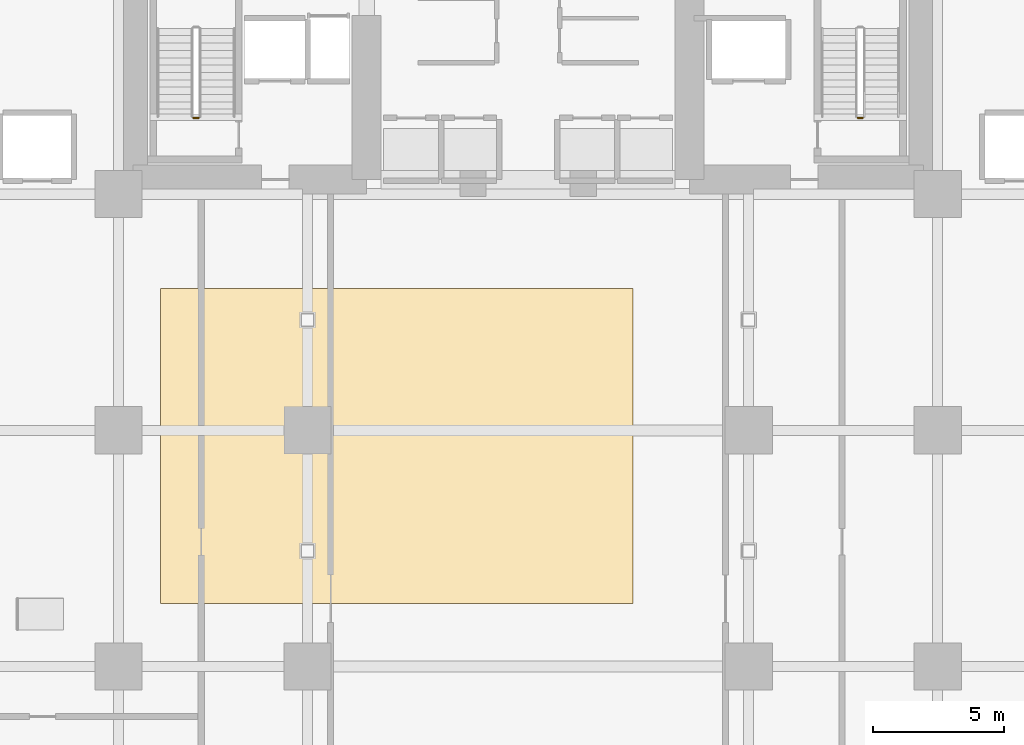
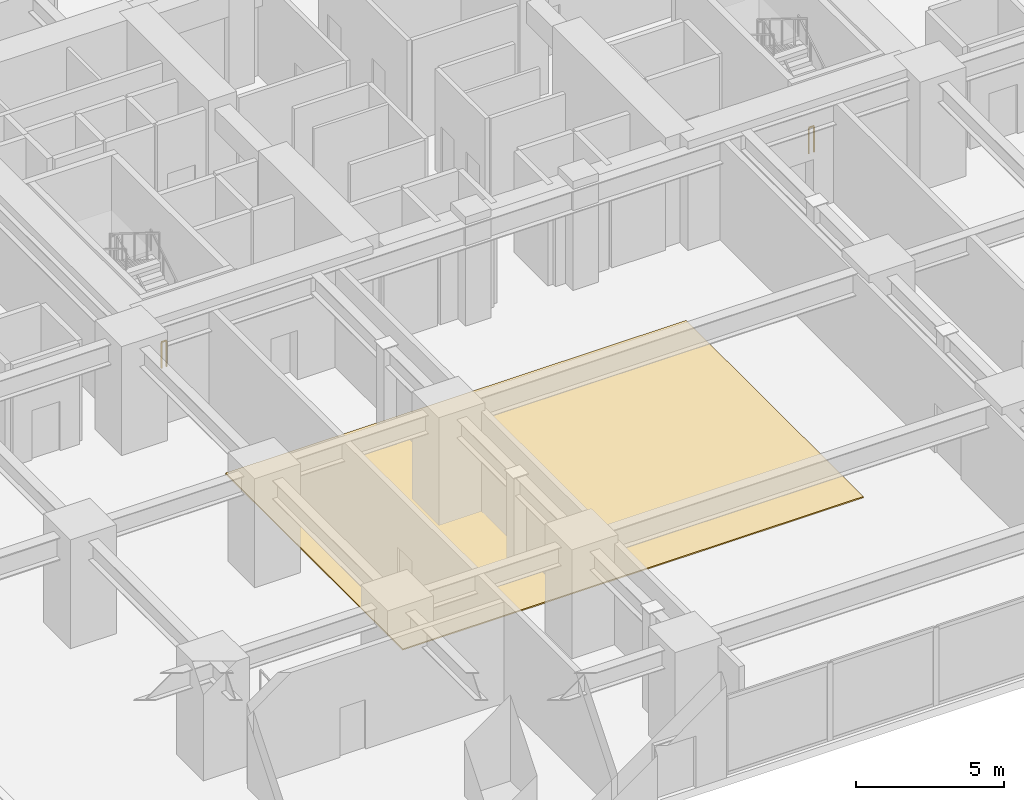
# One storey, part 19 of 26: 2 railings, 1 covering.
"""IFC4 building model written with IfcOpenShell, lengths in metres."""

from ifc_helpers import new_model, si_unit, direction, frame, origin, origin_2d, place, context, subcontext, project, spatial, polyline, rectangle, outline, extrude, material, layer, layer_set, type_object, element, save


model = new_model("IFC4")

# Units and contexts
model_context = context("Model", 3, precision=1e-05, world=origin(), true_north=direction((0.0, 1.0)))
body_context = subcontext(model_context, "Body", "Model", "MODEL_VIEW")
ifc_project = project(units=[si_unit("LENGTHUNIT", "METRE"), si_unit("AREAUNIT", "SQUARE_METRE"), si_unit("VOLUMEUNIT", "CUBIC_METRE"), si_unit("PLANEANGLEUNIT", "RADIAN"), si_unit("MASSUNIT", "GRAM", prefix="KILO")], contexts=[model_context])

# Site, building, storey
site_placement = place(None, origin())
site = spatial("IfcSite", under=ifc_project, at=site_placement, CompositionType="ELEMENT")
building_placement = place(site_placement, origin())
building = spatial("IfcBuilding", under=site, at=building_placement, Name="Kiyonajd Concourse Tower", CompositionType="ELEMENT")
storey_placement = place(building_placement, origin())
storey = spatial("IfcBuildingStorey", under=building, at=storey_placement, Name="L01", CompositionType="ELEMENT", Elevation=0.0)

# Covering
ifc_material_1 = material(Name="Riyadh Jubaila Limestone", Category="masonry")
ifc_layer = layer(ifc_material_1, 0.050048828125)
ifc_layer_set = layer_set([ifc_layer], Name="Riyadh Jubaila Limestone")
covering_type = type_object("IfcCoveringType", Name="CV-FLR-RAISED", PredefinedType="FLOORING", material=ifc_layer_set)
covering_placement = place(storey_placement, origin())
element("IfcCovering", 1, at=covering_placement, inside=storey, type_object=covering_type, Name="L01 Limestone Floor Finish", PredefinedType="FLOORING", context=body_context, shape_type="SweptSolid", body=[
    extrude(outline(polyline([(34.0, 12.0), (52.0, 12.0), (52.0, 24.0), (34.0, 24.0), (34.0, 12.0)])), origin(), (0.0, 0.0, 1.0), 0.050048828125),
])

# Railings
ifc_material_2 = material(Name="Steel ASTM A500 Grade C", Category="steel")
railing_type = type_object("IfcRailingType", Name="RL-GRD-STR", PredefinedType="GUARDRAIL", material=ifc_material_2)
for number, where, name in (
    (2, (35.449951171875, 30.5, 0.0), "L01 ST1 stair guard 4"),
    (3, (60.75, 30.5, 0.0), "L01 ST2 stair guard 4"),
):
    element("IfcRailing", number, at=place(storey_placement, frame(where)), inside=storey, type_object=railing_type, Name=name, PredefinedType="GUARDRAIL", context=body_context, shape_type="SweptSolid", body=[
        extrude(rectangle(XDim=0.048095703125, YDim=0.048095703125, at=origin_2d()), frame((0.0, 0.0, 1.076171875), z_axis=(-1.0, 0.0, 0.0), x_axis=(0.0, -1.0, 0.0)), (0.0, 0.0, 1.0), 0.199951171875),
        extrude(rectangle(XDim=0.0419921875, YDim=0.0419921875, at=origin_2d()), origin(), (0.0, 0.0, 1.0), 1.052001953125),
        extrude(rectangle(XDim=0.0419921875, YDim=0.0419921875, at=origin_2d()), frame((-0.199951171875, 0.0, 0.0)), (0.0, 0.0, 1.0), 1.052001953125),
    ])

save(model, "model.ifc")
